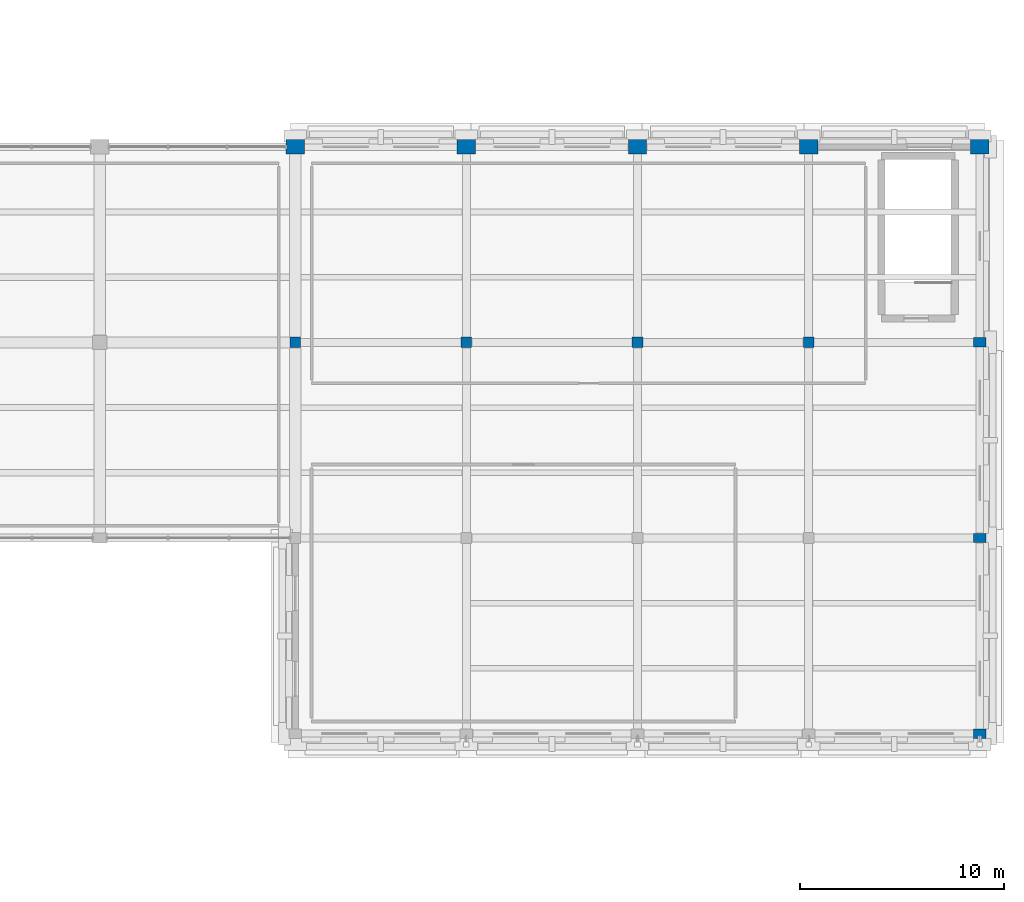
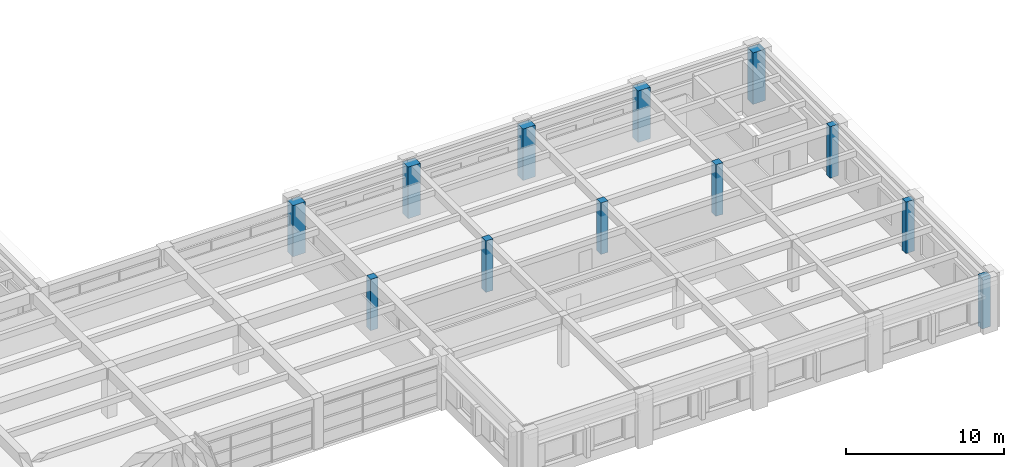
# One storey, part 2 of 62: 12 columns.
"""IFC4 building model written with IfcOpenShell, lengths in metres."""

from ifc_helpers import new_model, si_unit, direction, frame, origin, origin_2d, place, context, subcontext, project, spatial, rectangle, extrude, material, material_profile, profile_set, type_object, element, save


model = new_model("IFC4")

# Units and contexts
model_context = context("Model", 3, precision=1e-05, world=origin(), true_north=direction((0.0, 1.0)))
body_context = subcontext(model_context, "Body", "Model", "MODEL_VIEW")
ifc_project = project(units=[si_unit("LENGTHUNIT", "METRE"), si_unit("AREAUNIT", "SQUARE_METRE"), si_unit("VOLUMEUNIT", "CUBIC_METRE"), si_unit("PLANEANGLEUNIT", "RADIAN"), si_unit("MASSUNIT", "GRAM", prefix="KILO")], contexts=[model_context])

# Site, building, storey
site_placement = place(None, origin())
site = spatial("IfcSite", under=ifc_project, at=site_placement, CompositionType="ELEMENT")
building_placement = place(site_placement, origin())
building = spatial("IfcBuilding", under=site, at=building_placement, Name="Bempovik Park Faculty of Sciences", CompositionType="ELEMENT")
storey_placement = place(building_placement, frame((0.0, 0.0, 9.89990234375)))
storey = spatial("IfcBuildingStorey", under=building, at=storey_placement, Name="L02", CompositionType="ELEMENT", Elevation=9.89990234375)

# Columns
ifc_material_1 = material(Name="Concrete C40/50", Category="concrete")
ifc_material_profile_1 = material_profile(ifc_material_1, rectangle(XDim=0.89990234375, YDim=0.699951171875, at=origin_2d()), Name="RC 900x700")
ifc_profile_set_1 = profile_set([ifc_material_profile_1], Name="Concrete C40/50")
column_type_1 = type_object("IfcColumnType", Name="C-25 RC 900x700", PredefinedType="COLUMN", material=ifc_profile_set_1)
column_1_placement = place(storey_placement, frame((136.800048828125, 87.0, 0.0), z_axis=(0.0, 0.0, 1.0), x_axis=(1.0, 0.0, 0.0)))
element("IfcColumn", 1, at=column_1_placement, inside=storey, type_object=column_type_1, Name="L02 Structural Column (136.8,87.0)", PredefinedType="COLUMN", context=body_context, shape_type="SweptSolid", body=[
    extrude(rectangle(XDim=0.89990234375, YDim=0.699951171875, at=origin_2d()), origin(), (0.0, 0.0, 1.0), 3.960205078125),
])
for number, where, z_axis, x_axis, name in (
    (2, (145.199951171875, 87.0, 0.0), (0.0, 0.0, 1.0), (1.0, 0.0, 0.0), "L02 Structural Column (145.2,87.0)"),
    (3, (153.60009765625, 87.0, 0.0), (0.0, 0.0, 1.0), (1.0, 0.0, 0.0), "L02 Structural Column (153.6,87.0)"),
    (4, (162.0, 87.0, 0.0), (0.0, 0.0, 1.0), (1.0, 0.0, 0.0), "L02 Structural Column (162.0,87.0)"),
    (5, (170.39990234375, 87.0, 0.0), (0.0, 0.0, 1.0), (1.0, 0.0, 0.0), "L02 Structural Column (170.4,87.0)"),
):
    element("IfcColumn", number, at=place(storey_placement, frame(where, z_axis=z_axis, x_axis=x_axis)), inside=storey, type_object=column_type_1, Name=name, PredefinedType="COLUMN", context=body_context, shape_type="SweptSolid", body=[
        extrude(rectangle(XDim=0.89990234375, YDim=0.699951171875, at=origin_2d()), origin(), (0.0, 0.0, 1.0), 3.97998046875),
    ])
ifc_material_2 = material(Name="Concrete C35/45", Category="concrete")
ifc_material_profile_2 = material_profile(ifc_material_2, rectangle(XDim=0.52001953125, YDim=0.52001953125, at=origin_2d()), Name="RC 520x520")
ifc_profile_set_2 = profile_set([ifc_material_profile_2], Name="Concrete C35/45")
column_type_2 = type_object("IfcColumnType", Name="C-51 RC 520x520", PredefinedType="COLUMN", material=ifc_profile_set_2)
column_2_placement = place(storey_placement, frame((136.800048828125, 77.39990234375, 0.0), z_axis=(0.0, 0.0, 1.0), x_axis=(1.0, 0.0, 0.0)))
element("IfcColumn", 6, at=column_2_placement, inside=storey, type_object=column_type_2, Name="L02 Structural Column (136.8,77.4)", PredefinedType="COLUMN", context=body_context, shape_type="SweptSolid", body=[
    extrude(rectangle(XDim=0.52001953125, YDim=0.52001953125, at=origin_2d()), origin(), (0.0, 0.0, 1.0), 3.960205078125),
])
for number, where, z_axis, x_axis, name in (
    (7, (145.199951171875, 77.39990234375, 0.0), (0.0, 0.0, 1.0), (1.0, 0.0, 0.0), "L02 Structural Column (145.2,77.4)"),
    (8, (153.60009765625, 77.39990234375, 0.0), (0.0, 0.0, 1.0), (1.0, 0.0, 0.0), "L02 Structural Column (153.6,77.4)"),
    (9, (162.0, 77.39990234375, 0.0), (0.0, 0.0, 1.0), (1.0, 0.0, 0.0), "L02 Structural Column (162.0,77.4)"),
):
    element("IfcColumn", number, at=place(storey_placement, frame(where, z_axis=z_axis, x_axis=x_axis)), inside=storey, type_object=column_type_2, Name=name, PredefinedType="COLUMN", context=body_context, shape_type="SweptSolid", body=[
        extrude(rectangle(XDim=0.52001953125, YDim=0.52001953125, at=origin_2d()), origin(), (0.0, 0.0, 1.0), 3.97998046875),
    ])
ifc_material_profile_3 = material_profile(ifc_material_2, rectangle(XDim=0.6201171875, YDim=0.4599609375, at=origin_2d()), Name="RC 620x460")
ifc_profile_set_3 = profile_set([ifc_material_profile_3], Name="Concrete C35/45")
column_type_3 = type_object("IfcColumnType", Name="C-59 RC 620x460", PredefinedType="COLUMN", material=ifc_profile_set_3)
for number, where, z_axis, x_axis, name in (
    (10, (170.39990234375, 58.199951171875, 0.0), (0.0, 0.0, 1.0), (1.0, 0.0, 0.0), "L02 Structural Column (170.4,58.2)"),
    (11, (170.39990234375, 67.800048828125, 0.0), (0.0, 0.0, 1.0), (1.0, 0.0, 0.0), "L02 Structural Column (170.4,67.8)"),
    (12, (170.39990234375, 77.39990234375, 0.0), (0.0, 0.0, 1.0), (1.0, 0.0, 0.0), "L02 Structural Column (170.4,77.4)"),
):
    element("IfcColumn", number, at=place(storey_placement, frame(where, z_axis=z_axis, x_axis=x_axis)), inside=storey, type_object=column_type_3, Name=name, PredefinedType="COLUMN", context=body_context, shape_type="SweptSolid", body=[
        extrude(rectangle(XDim=0.6201171875, YDim=0.4599609375, at=origin_2d()), origin(), (0.0, 0.0, 1.0), 3.97998046875),
    ])

save(model, "model.ifc")
